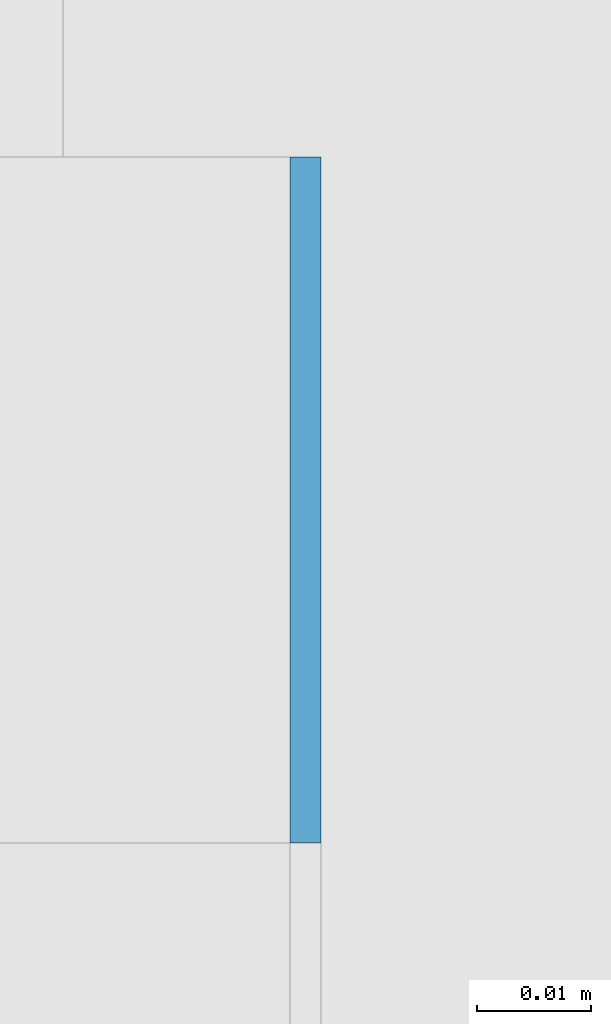
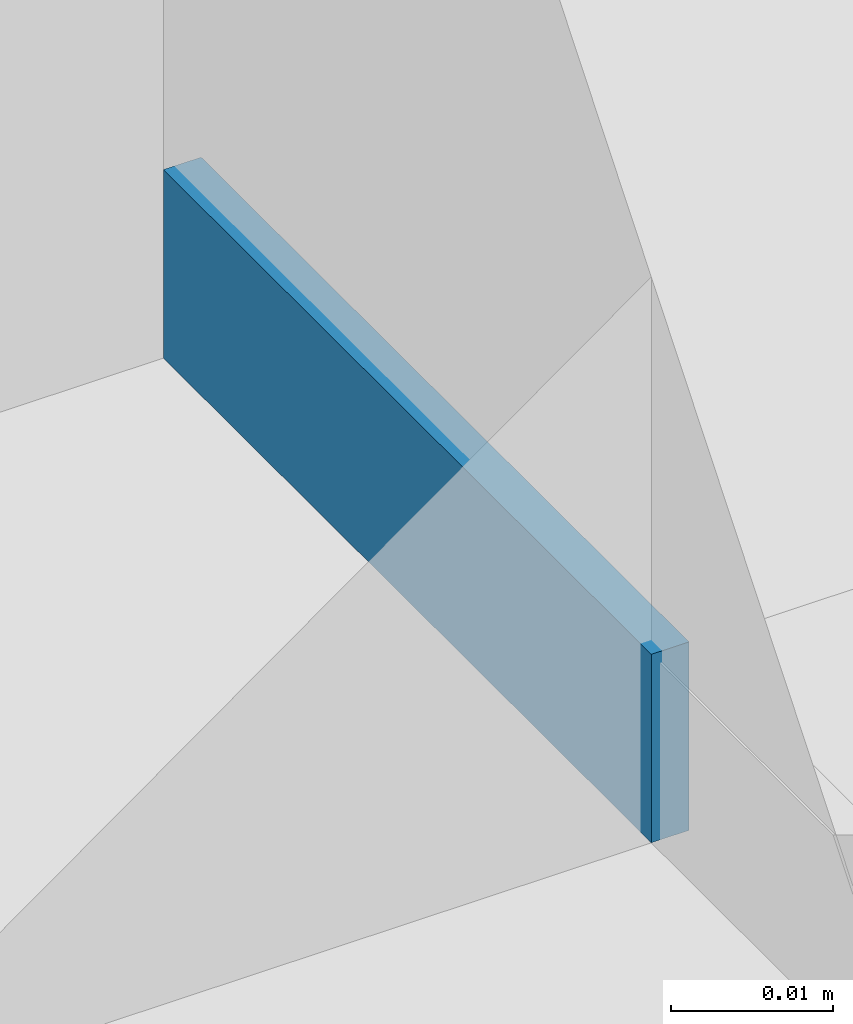
# One storey, part 350 of 646: 1 discrete accessory.
"""IFC4 building model written with IfcOpenShell, lengths in metres."""

import ifcopenshell
import ifcopenshell.guid

model = None  # the IFC model being written
_history = None  # IfcOwnerHistory: only IFC2X3 demands one
_inside = {}  # id of a spatial element -> (the spatial element, [elements in it])
_under = {}  # id of a project, library or spatial element -> (it, [spatial elements below it])
_declared = {}  # id of a project -> (the project, [libraries it declares])
_typed = {}  # id of a type object -> (the type object, [elements of that type])
_made_of = {}  # id of a material, layer set ... -> (it, [elements and type objects made of it])


def new_model(schema):
    """Start an empty IFC model of exactly this schema.

    Asked for "IFC4X3", IfcOpenShell would pick the latest addendum, in which some entities
    have other attributes; the version numbers below select the first issue.
    IFC2X3 requires an IfcOwnerHistory on every rooted entity: one is made here for all.
    """
    global model, _history
    if schema == "IFC4X3":
        model = ifcopenshell.file(schema_version=(4, 3, 0, 0))
    else:
        model = ifcopenshell.file(schema=schema)
    _inside.clear()
    _under.clear()
    _declared.clear()
    _typed.clear()
    _made_of.clear()
    _history = None
    if model.schema == "IFC2X3":
        org = make("IfcOrganization", Name="unknown")
        user = make(
            "IfcPersonAndOrganization",
            ThePerson=make("IfcPerson", FamilyName="unknown"),
            TheOrganization=org,
        )
        app = make(
            "IfcApplication",
            ApplicationDeveloper=org,
            Version="unknown",
            ApplicationFullName="unknown",
            ApplicationIdentifier="unknown",
        )
        _history = make(
            "IfcOwnerHistory",
            OwningUser=user,
            OwningApplication=app,
            ChangeAction="ADDED",
            CreationDate=0,
        )
    return model


def make(cls, **values):
    """One entity of the class cls with the attributes given. An attribute that is None is left unset."""
    return model.create_entity(
        cls, **{name: value for name, value in values.items() if value is not None}
    )


def rooted(cls, **values):
    """An entity with a GlobalId (a new one), such as an element, a storey or a relation."""
    return make(cls, GlobalId=ifcopenshell.guid.new(), OwnerHistory=_history, **values)


def si_unit(unit_type, name, prefix=None):
    """IfcSIUnit, for example si_unit("LENGTHUNIT", "METRE", prefix="MILLI")."""
    return make("IfcSIUnit", UnitType=unit_type, Prefix=prefix, Name=name)


def assignment(units):
    """IfcUnitAssignment: the units of a project."""
    return None if units is None else make("IfcUnitAssignment", Units=units)


def point(xyz):
    """IfcCartesianPoint."""
    return None if xyz is None else make("IfcCartesianPoint", Coordinates=xyz)


def direction(xyz):
    """IfcDirection."""
    return None if xyz is None else make("IfcDirection", DirectionRatios=xyz)


def frame(location, z_axis=None, x_axis=None):
    """IfcAxis2Placement3D, a coordinate frame: its origin and axes. An axis left out is left unset."""
    return make(
        "IfcAxis2Placement3D",
        Location=point(location),
        Axis=direction(z_axis),
        RefDirection=direction(x_axis),
    )


def frame_2d(location, x_axis=None):
    """IfcAxis2Placement2D, a coordinate frame in the plane: its origin and x axis."""
    return make(
        "IfcAxis2Placement2D", Location=point(location), RefDirection=direction(x_axis)
    )


def origin():
    """The frame at (0, 0, 0) with its axes left unset."""
    return frame((0.0, 0.0, 0.0))


def origin_2d():
    """The frame at (0, 0) in the plane with its x axis left unset."""
    return frame_2d((0.0, 0.0))


def place(relative_to, where):
    """IfcLocalPlacement: puts the frame where relative to a parent placement (None: the world)."""
    return make(
        "IfcLocalPlacement", PlacementRelTo=relative_to, RelativePlacement=where
    )


def context(
    kind, dimensions, precision=None, world=None, true_north=None, identifier=None
):
    """IfcGeometricRepresentationContext, for example the 3D "Model" context."""
    return make(
        "IfcGeometricRepresentationContext",
        ContextIdentifier=identifier,
        ContextType=kind,
        CoordinateSpaceDimension=dimensions,
        Precision=precision,
        WorldCoordinateSystem=world,
        TrueNorth=true_north,
    )


def subcontext(parent, identifier, kind, view, scale=None):
    """IfcGeometricRepresentationSubContext, for example "Body" below "Model"."""
    return make(
        "IfcGeometricRepresentationSubContext",
        ContextIdentifier=identifier,
        ContextType=kind,
        ParentContext=parent,
        TargetScale=scale,
        TargetView=view,
    )


def project(units=None, contexts=None):
    """IfcProject with its units and contexts."""
    return rooted(
        "IfcProject",
        Name="project",
        RepresentationContexts=contexts,
        UnitsInContext=assignment(units),
    )


def spatial(cls, under=None, at=None, **own):
    """A site, building, storey or space (cls), placed at a placement, below another one or the project."""
    s = rooted(cls, ObjectPlacement=at, **own)
    if under is not None:
        _under.setdefault(under.id(), (under, []))[1].append(s)
    return s


def profile(cls, at=None, kind="AREA", **sizes):
    """A parametric profile (cls). Its sizes go by their IFC names, for example OverallWidth=200.0."""
    return make(cls, ProfileType=kind, Position=at, **sizes)


def rectangle(**sizes):
    """IfcRectangleProfileDef."""
    return profile("IfcRectangleProfileDef", **sizes)


def extrude(swept, where, along, depth):
    """IfcExtrudedAreaSolid: the profile swept, set in the frame where, extruded along a direction by depth."""
    return make(
        "IfcExtrudedAreaSolid",
        SweptArea=swept,
        Position=where,
        ExtrudedDirection=direction(along),
        Depth=depth,
    )


def shape(context_of_items, identifier, shape_type, items):
    """IfcShapeRepresentation: the items that make up one representation, for example the "Body"."""
    return make(
        "IfcShapeRepresentation",
        ContextOfItems=context_of_items,
        RepresentationIdentifier=identifier,
        RepresentationType=shape_type,
        Items=items,
    )


def material(Name=None, Category=None):
    """IfcMaterial."""
    return make("IfcMaterial", Name=Name, Category=Category)


def made_of(thing, what):
    """Note that an element or type object is made of a material, layer set ...; save() writes the relation."""
    if what is not None:
        _made_of.setdefault(what.id(), (what, []))[1].append(thing)
    return thing


def type_object(cls, material=None, **own):
    """A type object (cls), such as IfcWallType, which elements share."""
    return made_of(rooted(cls, **own), material)


def element(
    cls,
    number,
    at=None,
    inside=None,
    cuts=None,
    type_object=None,
    material=None,
    context=None,
    identifier="Body",
    shape_type=None,
    held_by="IfcProductDefinitionShape",
    body=None,
    shapes=None,
    **own,
):
    """One element of the class cls, such as IfcWall. Its Tag is "e" and its number.

    at: its placement. inside: the storey or other place that contains it. cuts: it is an
    opening in that element (IfcRelVoidsElement). A single representation is given by context,
    identifier, shape_type and body (its items); several are given by shapes. held_by: the class
    of the entity that holds the representations. save() writes the other relations.
    """
    e = rooted(cls, Tag="e%d" % number, ObjectPlacement=at, **own)
    if body is not None:
        shapes = [shape(context, identifier, shape_type, body)]
    if shapes is not None:
        e.Representation = make(held_by, Representations=shapes)
    if inside is not None:
        _inside.setdefault(inside.id(), (inside, []))[1].append(e)
    if cuts is not None:
        rooted(
            "IfcRelVoidsElement", RelatingBuildingElement=cuts, RelatedOpeningElement=e
        )
    if type_object is not None:
        _typed.setdefault(type_object.id(), (type_object, []))[1].append(e)
    return made_of(e, material)


def aggregate(whole, parts):
    """IfcRelAggregates: a whole, such as a stair, and the parts it consists of."""
    return rooted("IfcRelAggregates", RelatingObject=whole, RelatedObjects=parts)


def save(model, path):
    """Write the relations noted so far, then the file.

    IfcRelAggregates (storeys below a building ...), IfcRelContainedInSpatialStructure (elements
    in a storey), IfcRelDefinesByType, IfcRelAssociatesMaterial and IfcRelDeclares: one each for
    every whole, place, type object, material and project.
    """
    for whole, parts in _under.values():
        aggregate(whole, parts)
    for where, things in _inside.values():
        rooted(
            "IfcRelContainedInSpatialStructure",
            RelatedElements=things,
            RelatingStructure=where,
        )
    for kind, things in _typed.values():
        rooted("IfcRelDefinesByType", RelatedObjects=things, RelatingType=kind)
    for what, things in _made_of.values():
        rooted("IfcRelAssociatesMaterial", RelatedObjects=things, RelatingMaterial=what)
    for by, libraries in _declared.values():
        rooted("IfcRelDeclares", RelatingContext=by, RelatedDefinitions=libraries)
    model.write(path)


model = new_model("IFC4")

# Units and contexts
model_context = context("Model", 3, precision=1e-05, world=origin(), true_north=direction((0.0, 1.0)))
body_context = subcontext(model_context, "Body", "Model", "MODEL_VIEW")
ifc_project = project(units=[si_unit("LENGTHUNIT", "METRE"), si_unit("AREAUNIT", "SQUARE_METRE"), si_unit("VOLUMEUNIT", "CUBIC_METRE"), si_unit("PLANEANGLEUNIT", "RADIAN"), si_unit("MASSUNIT", "GRAM", prefix="KILO")], contexts=[model_context])

# Site, building, storey
site_placement = place(None, origin())
site = spatial("IfcSite", under=ifc_project, at=site_placement, CompositionType="ELEMENT")
building_placement = place(site_placement, origin())
building = spatial("IfcBuilding", under=site, at=building_placement, Name="Silverbay Arena", CompositionType="ELEMENT")
storey_placement = place(building_placement, frame((0.0, 0.0, 33.5)))
storey = spatial("IfcBuildingStorey", under=building, at=storey_placement, Name="L05", CompositionType="ELEMENT", Elevation=33.5)

# Discrete accessory
ifc_material = material(Name="Steel S355", Category="steel")
discrete_accessory_type = type_object("IfcDiscreteAccessoryType", Name="Steel bracket plate", PredefinedType="BRACKET", material=ifc_material)
discrete_accessory_placement = place(storey_placement, frame((53.871337890625, 90.030029296875, 4.0), z_axis=(0.0, 0.0, 1.0), x_axis=(1.0, 0.0, 0.0)))
element("IfcDiscreteAccessory", 1, at=discrete_accessory_placement, inside=storey, type_object=discrete_accessory_type, Name="Curtain wall packing plate", PredefinedType="BRACKET", context=body_context, shape_type="SweptSolid", body=[
    extrude(rectangle(XDim=0.002685546875, YDim=0.06005859375, at=origin_2d()), origin(), (0.0, 0.0, 1.0), 0.01416015625),
])

save(model, "model.ifc")
